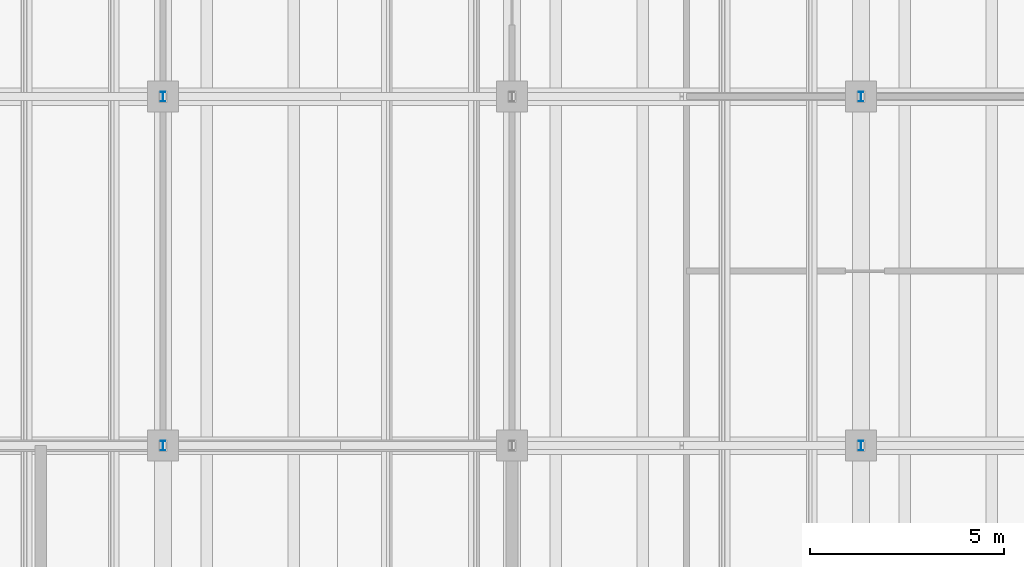
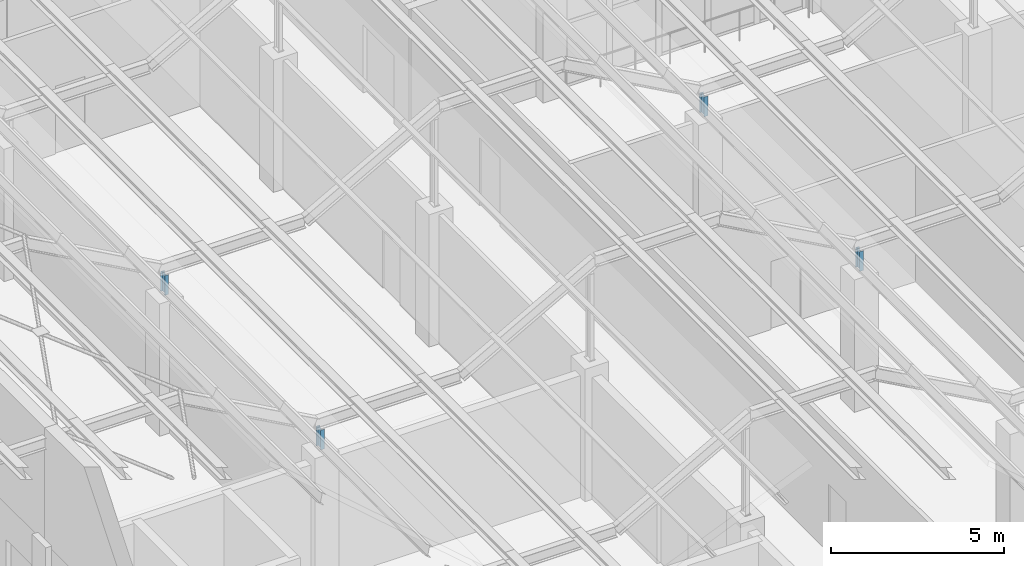
# One storey, part 221 of 437: 4 members.
"""IFC4 building model written with IfcOpenShell, lengths in metres."""

from ifc_helpers import new_model, si_unit, direction, frame, origin, origin_2d, place, context, subcontext, project, spatial, i_section, extrude, material, material_profile, profile_set, type_object, element, save


model = new_model("IFC4")

# Units and contexts
model_context = context("Model", 3, precision=1e-05, world=origin(), true_north=direction((0.0, 1.0)))
body_context = subcontext(model_context, "Body", "Model", "MODEL_VIEW")
ifc_project = project(units=[si_unit("LENGTHUNIT", "METRE"), si_unit("AREAUNIT", "SQUARE_METRE"), si_unit("VOLUMEUNIT", "CUBIC_METRE"), si_unit("PLANEANGLEUNIT", "RADIAN"), si_unit("MASSUNIT", "GRAM", prefix="KILO")], contexts=[model_context])

# Site, building, storey
site_placement = place(None, origin())
site = spatial("IfcSite", under=ifc_project, at=site_placement, CompositionType="ELEMENT")
building_placement = place(site_placement, origin())
building = spatial("IfcBuilding", under=site, at=building_placement, Name="Opaline Strait Convention Centre", CompositionType="ELEMENT")
storey_placement = place(building_placement, frame((0.0, 0.0, 11.5)))
storey = spatial("IfcBuildingStorey", under=building, at=storey_placement, Name="L02", CompositionType="ELEMENT", Elevation=11.5)

# Members
ifc_material = material(Name="Steel Q355B", Category="steel")
ifc_material_profile = material_profile(ifc_material, i_section(OverallWidth=0.125, OverallDepth=0.25, WebThickness=0.006103515625, FlangeThickness=0.009033203125, FilletRadius=0.008056640625, at=origin_2d()), Name="HN 250x125x6x9")
ifc_profile_set = profile_set([ifc_material_profile], Name="Steel Q355B")
member_type = type_object("IfcMemberType", Name="Roof post HN 250x125x6x9", PredefinedType="STRUT", material=ifc_profile_set)
for number, where, z_axis, x_axis, name in (
    (1, (18.0, 27.0, 4.68994140625), (0.0, 0.0, 1.0), (1.0, 0.0, 0.0), "RP1 roof post at 18/27"),
    (2, (36.0, 27.0, 4.68994140625), (0.0, 0.0, 1.0), (1.0, 0.0, 0.0), "RP1 roof post at 36/27"),
    (3, (18.0, 36.0, 4.68994140625), (0.0, 0.0, 1.0), (1.0, 0.0, 0.0), "RP1 roof post at 18/36"),
    (4, (36.0, 36.0, 4.68994140625), (0.0, 0.0, 1.0), (1.0, 0.0, 0.0), "RP1 roof post at 36/36"),
):
    element("IfcMember", number, at=place(storey_placement, frame(where, z_axis=z_axis, x_axis=x_axis)), inside=storey, type_object=member_type, Name=name, PredefinedType="STRUT", context=body_context, shape_type="SweptSolid", body=[
        extrude(i_section(OverallWidth=0.125, OverallDepth=0.25, WebThickness=0.006103515625, FlangeThickness=0.009033203125, FilletRadius=0.008056640625, at=origin_2d()), origin(), (0.0, 0.0, 1.0), 0.695068359375),
    ])

save(model, "model.ifc")
